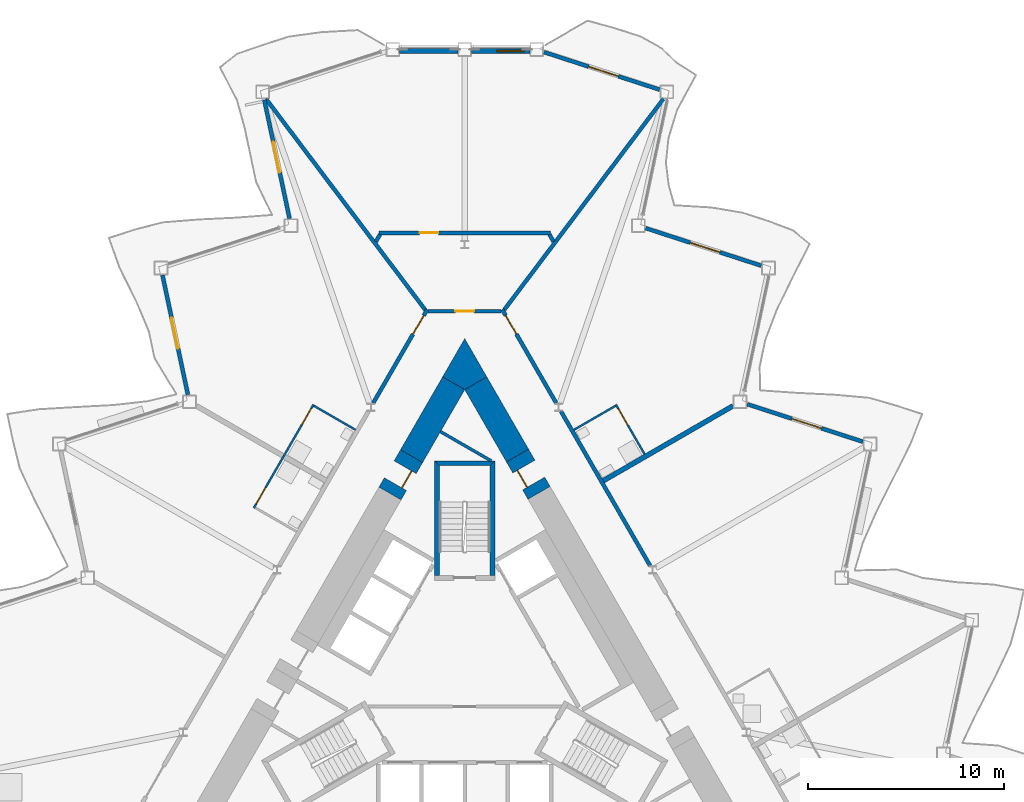
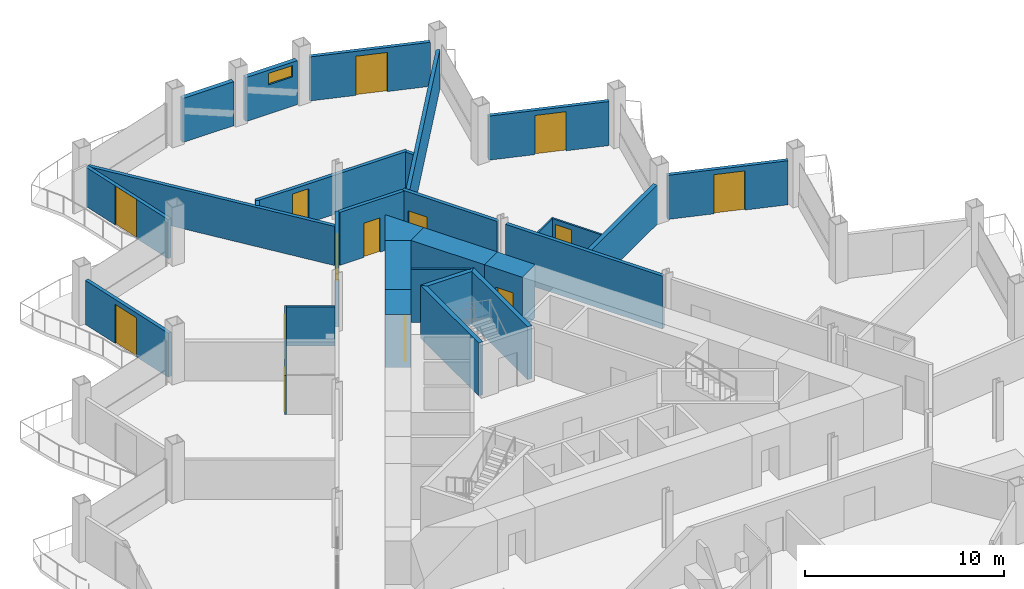
# One storey, part 14 of 24: 30 walls, 14 doors, 1 window, 15 openings.
"""IFC4 building model written with IfcOpenShell, lengths in metres."""

import ifcopenshell
import ifcopenshell.guid

model = None  # the IFC model being written
_history = None  # IfcOwnerHistory: only IFC2X3 demands one
_inside = {}  # id of a spatial element -> (the spatial element, [elements in it])
_under = {}  # id of a project, library or spatial element -> (it, [spatial elements below it])
_declared = {}  # id of a project -> (the project, [libraries it declares])
_typed = {}  # id of a type object -> (the type object, [elements of that type])
_made_of = {}  # id of a material, layer set ... -> (it, [elements and type objects made of it])


def new_model(schema):
    """Start an empty IFC model of exactly this schema.

    Asked for "IFC4X3", IfcOpenShell would pick the latest addendum, in which some entities
    have other attributes; the version numbers below select the first issue.
    IFC2X3 requires an IfcOwnerHistory on every rooted entity: one is made here for all.
    """
    global model, _history
    if schema == "IFC4X3":
        model = ifcopenshell.file(schema_version=(4, 3, 0, 0))
    else:
        model = ifcopenshell.file(schema=schema)
    _inside.clear()
    _under.clear()
    _declared.clear()
    _typed.clear()
    _made_of.clear()
    _history = None
    if model.schema == "IFC2X3":
        org = make("IfcOrganization", Name="unknown")
        user = make(
            "IfcPersonAndOrganization",
            ThePerson=make("IfcPerson", FamilyName="unknown"),
            TheOrganization=org,
        )
        app = make(
            "IfcApplication",
            ApplicationDeveloper=org,
            Version="unknown",
            ApplicationFullName="unknown",
            ApplicationIdentifier="unknown",
        )
        _history = make(
            "IfcOwnerHistory",
            OwningUser=user,
            OwningApplication=app,
            ChangeAction="ADDED",
            CreationDate=0,
        )
    return model


def make(cls, **values):
    """One entity of the class cls with the attributes given. An attribute that is None is left unset."""
    return model.create_entity(
        cls, **{name: value for name, value in values.items() if value is not None}
    )


def rooted(cls, **values):
    """An entity with a GlobalId (a new one), such as an element, a storey or a relation."""
    return make(cls, GlobalId=ifcopenshell.guid.new(), OwnerHistory=_history, **values)


def si_unit(unit_type, name, prefix=None):
    """IfcSIUnit, for example si_unit("LENGTHUNIT", "METRE", prefix="MILLI")."""
    return make("IfcSIUnit", UnitType=unit_type, Prefix=prefix, Name=name)


def assignment(units):
    """IfcUnitAssignment: the units of a project."""
    return None if units is None else make("IfcUnitAssignment", Units=units)


def point(xyz):
    """IfcCartesianPoint."""
    return None if xyz is None else make("IfcCartesianPoint", Coordinates=xyz)


def direction(xyz):
    """IfcDirection."""
    return None if xyz is None else make("IfcDirection", DirectionRatios=xyz)


def frame(location, z_axis=None, x_axis=None):
    """IfcAxis2Placement3D, a coordinate frame: its origin and axes. An axis left out is left unset."""
    return make(
        "IfcAxis2Placement3D",
        Location=point(location),
        Axis=direction(z_axis),
        RefDirection=direction(x_axis),
    )


def frame_2d(location, x_axis=None):
    """IfcAxis2Placement2D, a coordinate frame in the plane: its origin and x axis."""
    return make(
        "IfcAxis2Placement2D", Location=point(location), RefDirection=direction(x_axis)
    )


def origin():
    """The frame at (0, 0, 0) with its axes left unset."""
    return frame((0.0, 0.0, 0.0))


def place(relative_to, where):
    """IfcLocalPlacement: puts the frame where relative to a parent placement (None: the world)."""
    return make(
        "IfcLocalPlacement", PlacementRelTo=relative_to, RelativePlacement=where
    )


def context(
    kind, dimensions, precision=None, world=None, true_north=None, identifier=None
):
    """IfcGeometricRepresentationContext, for example the 3D "Model" context."""
    return make(
        "IfcGeometricRepresentationContext",
        ContextIdentifier=identifier,
        ContextType=kind,
        CoordinateSpaceDimension=dimensions,
        Precision=precision,
        WorldCoordinateSystem=world,
        TrueNorth=true_north,
    )


def subcontext(parent, identifier, kind, view, scale=None):
    """IfcGeometricRepresentationSubContext, for example "Body" below "Model"."""
    return make(
        "IfcGeometricRepresentationSubContext",
        ContextIdentifier=identifier,
        ContextType=kind,
        ParentContext=parent,
        TargetScale=scale,
        TargetView=view,
    )


def project(units=None, contexts=None):
    """IfcProject with its units and contexts."""
    return rooted(
        "IfcProject",
        Name="project",
        RepresentationContexts=contexts,
        UnitsInContext=assignment(units),
    )


def spatial(cls, under=None, at=None, **own):
    """A site, building, storey or space (cls), placed at a placement, below another one or the project."""
    s = rooted(cls, ObjectPlacement=at, **own)
    if under is not None:
        _under.setdefault(under.id(), (under, []))[1].append(s)
    return s


def polyline(points):
    """IfcPolyline through the points."""
    return make("IfcPolyline", Points=[point(p) for p in points])


def profile(cls, at=None, kind="AREA", **sizes):
    """A parametric profile (cls). Its sizes go by their IFC names, for example OverallWidth=200.0."""
    return make(cls, ProfileType=kind, Position=at, **sizes)


def rectangle(**sizes):
    """IfcRectangleProfileDef."""
    return profile("IfcRectangleProfileDef", **sizes)


def outline(outer, holes=None, kind="AREA"):
    """IfcArbitraryClosedProfileDef: a profile drawn as a closed curve; with holes, ...WithVoids."""
    if holes is None:
        return make("IfcArbitraryClosedProfileDef", ProfileType=kind, OuterCurve=outer)
    return make(
        "IfcArbitraryProfileDefWithVoids",
        ProfileType=kind,
        OuterCurve=outer,
        InnerCurves=holes,
    )


def extrude(swept, where, along, depth):
    """IfcExtrudedAreaSolid: the profile swept, set in the frame where, extruded along a direction by depth."""
    return make(
        "IfcExtrudedAreaSolid",
        SweptArea=swept,
        Position=where,
        ExtrudedDirection=direction(along),
        Depth=depth,
    )


def shape(context_of_items, identifier, shape_type, items):
    """IfcShapeRepresentation: the items that make up one representation, for example the "Body"."""
    return make(
        "IfcShapeRepresentation",
        ContextOfItems=context_of_items,
        RepresentationIdentifier=identifier,
        RepresentationType=shape_type,
        Items=items,
    )


def material(Name=None, Category=None):
    """IfcMaterial."""
    return make("IfcMaterial", Name=Name, Category=Category)


def layer(
    of_material, thickness, ventilated=None, Name=None, Category=None, Priority=None
):
    """IfcMaterialLayer: one layer of a wall or slab, of a material (None: an air gap)."""
    return make(
        "IfcMaterialLayer",
        Material=of_material,
        LayerThickness=thickness,
        IsVentilated=ventilated,
        Name=Name,
        Category=Category,
        Priority=Priority,
    )


def layer_set(layers, Name=None):
    """IfcMaterialLayerSet."""
    return make("IfcMaterialLayerSet", MaterialLayers=layers, LayerSetName=Name)


def made_of(thing, what):
    """Note that an element or type object is made of a material, layer set ...; save() writes the relation."""
    if what is not None:
        _made_of.setdefault(what.id(), (what, []))[1].append(thing)
    return thing


def type_object(cls, material=None, **own):
    """A type object (cls), such as IfcWallType, which elements share."""
    return made_of(rooted(cls, **own), material)


def element(
    cls,
    number,
    at=None,
    inside=None,
    cuts=None,
    type_object=None,
    material=None,
    context=None,
    identifier="Body",
    shape_type=None,
    held_by="IfcProductDefinitionShape",
    body=None,
    shapes=None,
    **own,
):
    """One element of the class cls, such as IfcWall. Its Tag is "e" and its number.

    at: its placement. inside: the storey or other place that contains it. cuts: it is an
    opening in that element (IfcRelVoidsElement). A single representation is given by context,
    identifier, shape_type and body (its items); several are given by shapes. held_by: the class
    of the entity that holds the representations. save() writes the other relations.
    """
    e = rooted(cls, Tag="e%d" % number, ObjectPlacement=at, **own)
    if body is not None:
        shapes = [shape(context, identifier, shape_type, body)]
    if shapes is not None:
        e.Representation = make(held_by, Representations=shapes)
    if inside is not None:
        _inside.setdefault(inside.id(), (inside, []))[1].append(e)
    if cuts is not None:
        rooted(
            "IfcRelVoidsElement", RelatingBuildingElement=cuts, RelatedOpeningElement=e
        )
    if type_object is not None:
        _typed.setdefault(type_object.id(), (type_object, []))[1].append(e)
    return made_of(e, material)


def fill(opening, filler):
    """IfcRelFillsElement: the door or window that sits in an opening."""
    return rooted(
        "IfcRelFillsElement",
        RelatingOpeningElement=opening,
        RelatedBuildingElement=filler,
    )


def aggregate(whole, parts):
    """IfcRelAggregates: a whole, such as a stair, and the parts it consists of."""
    return rooted("IfcRelAggregates", RelatingObject=whole, RelatedObjects=parts)


def save(model, path):
    """Write the relations noted so far, then the file.

    IfcRelAggregates (storeys below a building ...), IfcRelContainedInSpatialStructure (elements
    in a storey), IfcRelDefinesByType, IfcRelAssociatesMaterial and IfcRelDeclares: one each for
    every whole, place, type object, material and project.
    """
    for whole, parts in _under.values():
        aggregate(whole, parts)
    for where, things in _inside.values():
        rooted(
            "IfcRelContainedInSpatialStructure",
            RelatedElements=things,
            RelatingStructure=where,
        )
    for kind, things in _typed.values():
        rooted("IfcRelDefinesByType", RelatedObjects=things, RelatingType=kind)
    for what, things in _made_of.values():
        rooted("IfcRelAssociatesMaterial", RelatedObjects=things, RelatingMaterial=what)
    for by, libraries in _declared.values():
        rooted("IfcRelDeclares", RelatingContext=by, RelatedDefinitions=libraries)
    model.write(path)


model = new_model("IFC4")

# Units and contexts
model_context = context("Model", 3, precision=1e-05, world=origin(), true_north=direction((0.0, 1.0)))
body_context = subcontext(model_context, "Body", "Model", "MODEL_VIEW")
ifc_project = project(units=[si_unit("LENGTHUNIT", "METRE"), si_unit("AREAUNIT", "SQUARE_METRE"), si_unit("VOLUMEUNIT", "CUBIC_METRE"), si_unit("PLANEANGLEUNIT", "RADIAN"), si_unit("MASSUNIT", "GRAM", prefix="KILO")], contexts=[model_context])

# Site, building, storey
site_placement = place(None, origin())
site = spatial("IfcSite", under=ifc_project, at=site_placement, CompositionType="ELEMENT")
building_placement = place(site_placement, origin())
building = spatial("IfcBuilding", under=site, at=building_placement, Name="Cormorant Prow Tower", CompositionType="ELEMENT")
storey_placement = place(building_placement, frame((0.0, 0.0, 270.60009765625)))
storey = spatial("IfcBuildingStorey", under=building, at=storey_placement, Name="L61", CompositionType="ELEMENT", Elevation=270.60009765625)

# Walls
ifc_material_1 = material(Name="Gypsum board partition")
ifc_layer_1 = layer(ifc_material_1, 0.14990234375)
ifc_layer_set_1 = layer_set([ifc_layer_1], Name="Gypsum board partition")
wall_type_1 = type_object("IfcWallType", Name="Core partition 150", PredefinedType="PARTITIONING", material=ifc_layer_set_1)
wall_1_placement = place(storey_placement, frame((-1.237060546875, 12.577880859375, 0.0), z_axis=(0.0, 0.0, 1.0), x_axis=(0.866045649925, -0.499964931016, 0.0)))
element("IfcWall", 1, at=wall_1_placement, inside=storey, type_object=wall_type_1, Name="Service room partition", PredefinedType="PARTITIONING", context=body_context, shape_type="SweptSolid", body=[
    extrude(rectangle(XDim=2.992431640625, YDim=0.14990234375, at=frame_2d((1.49609375, 0.0))), origin(), (0.0, 0.0, 1.0), 3.25),
])
ifc_material_2 = material(Name="Concrete 8000 psi", Category="concrete")
ifc_layer_2 = layer(ifc_material_2, 1.300048828125)
ifc_layer_set_2 = layer_set([ifc_layer_2], Name="Concrete 8000 psi")
wall_type_2 = type_object("IfcWallType", Name="Core shear wall 1300", PredefinedType="SHEAR", material=ifc_layer_set_2)
wall_2_placement = place(storey_placement, frame((2.693115234375, 11.356201171875, 0.0), z_axis=(0.0, 0.0, 1.0), x_axis=(-0.50002837164, 0.866009022791, 0.0)))
element("IfcWall", 2, at=wall_2_placement, inside=storey, type_object=wall_type_2, Name="Core wall", PredefinedType="SHEAR", context=body_context, shape_type="SweptSolid", body=[
    extrude(rectangle(XDim=4.260009765625, YDim=1.300048828125, at=frame_2d((2.1298828125, 0.0))), origin(), (0.0, 0.0, 1.0), 3.25),
])
wall_3_placement = place(storey_placement, frame((-0.56298828125, 15.04541015625, 0.0), z_axis=(0.0, 0.0, 1.0), x_axis=(-0.499994567278, -0.866028540345, 0.0)))
element("IfcWall", 3, at=wall_3_placement, inside=storey, type_object=wall_type_2, Name="Core wall", PredefinedType="SHEAR", context=body_context, shape_type="SweptSolid", body=[
    extrude(rectangle(XDim=4.29736328125, YDim=1.300048828125, at=frame_2d((2.148681640625, 0.0))), origin(), (0.0, 0.0, 1.0), 3.25),
])
wall_4_placement = place(storey_placement, origin())
element("IfcWall", 4, at=wall_4_placement, inside=storey, type_object=wall_type_2, Name="Core wall corner", PredefinedType="SHEAR", context=body_context, shape_type="SweptSolid", body=[
    extrude(outline(polyline([(-1.125732421875, 15.37060546875), (0.0, 17.320556640625), (1.125732421875, 15.37060546875), (0.0, 14.720458984375), (-1.125732421875, 15.37060546875)])), origin(), (0.0, 0.0, 1.0), 3.25),
])

# Wall, opening, door
wall_5_placement = place(storey_placement, frame((-2.7119140625, 11.32373046875, 0.0), z_axis=(0.0, 0.0, 1.0), x_axis=(-0.499946605688, -0.86605622881, 0.0)))
wall_5 = element("IfcWall", 5, at=wall_5_placement, inside=storey, type_object=wall_type_2, Name="Core wall door panel", PredefinedType="SHEAR", context=body_context, shape_type="SweptSolid", body=[
    extrude(rectangle(XDim=2.199951171875, YDim=1.300048828125, at=frame_2d((1.10009765625, 0.0))), origin(), (0.0, 0.0, 1.0), 3.25),
])
opening_1_placement = place(wall_5_placement, frame((0.64990234375, 0.0, 0.0)))
opening_1 = element("IfcOpeningElement", 6, at=opening_1_placement, cuts=wall_5, Name="Opening L61-C17", PredefinedType="OPENING", context=body_context, shape_type="SweptSolid", body=[
    extrude(rectangle(XDim=1.0, YDim=2.10009765625, at=frame_2d((0.5, 1.050048828125))), frame((0.0, 0.659912109375, 0.0), z_axis=(0.0, -1.0, 0.0), x_axis=(1.0, 0.0, 0.0)), (0.0, 0.0, 1.0), 1.320068359375),
])
ifc_material_3 = material(Name="Painted steel", Category="steel")
door_type_1 = type_object("IfcDoorType", Name="Service door 1000x2100", OperationType="NOTDEFINED", PredefinedType="DOOR", material=ifc_material_3)
door_1_placement = place(opening_1_placement, origin())
door_1 = element("IfcDoor", 7, at=door_1_placement, inside=storey, type_object=door_type_1, Name="Core door, Telecom room", OperationType="SINGLE_SWING_LEFT", OverallHeight=2.10009765625, OverallWidth=1.0, PredefinedType="DOOR", context=body_context, shape_type="SweptSolid", body=[
    extrude(rectangle(XDim=1.0, YDim=2.10009765625, at=frame_2d((0.5, 1.050048828125))), frame((0.0, 0.40478515625, 0.0), z_axis=(0.0, -1.0, 0.0), x_axis=(1.0, 0.0, 0.0)), (0.0, 0.0, 1.0), 0.050048828125),
])
fill(opening_1, door_1)

wall_6_placement = place(storey_placement, frame((3.79296875, 9.450927734375, 0.0), z_axis=(0.0, 0.0, 1.0), x_axis=(-0.499946605688, 0.86605622881, 0.0)))
wall_6 = element("IfcWall", 8, at=wall_6_placement, inside=storey, type_object=wall_type_2, Name="Core wall door panel", PredefinedType="SHEAR", context=body_context, shape_type="SweptSolid", body=[
    extrude(rectangle(XDim=2.199951171875, YDim=1.300048828125, at=frame_2d((1.10009765625, 0.0))), origin(), (0.0, 0.0, 1.0), 3.25),
])
opening_2_placement = place(wall_6_placement, frame((0.550048828125, 0.0, 0.0)))
opening_2 = element("IfcOpeningElement", 9, at=opening_2_placement, cuts=wall_6, Name="Opening L61-C18", PredefinedType="OPENING", context=body_context, shape_type="SweptSolid", body=[
    extrude(rectangle(XDim=1.0, YDim=2.10009765625, at=frame_2d((0.5, 1.050048828125))), frame((0.0, 0.659912109375, 0.0), z_axis=(0.0, -1.0, 0.0), x_axis=(1.0, 0.0, 0.0)), (0.0, 0.0, 1.0), 1.320068359375),
])
door_2_placement = place(opening_2_placement, origin())
door_2 = element("IfcDoor", 10, at=door_2_placement, inside=storey, type_object=door_type_1, Name="Core door, Pantry store", OperationType="SINGLE_SWING_RIGHT", OverallHeight=2.10009765625, OverallWidth=1.0, PredefinedType="DOOR", context=body_context, shape_type="SweptSolid", body=[
    extrude(rectangle(XDim=1.0, YDim=2.10009765625, at=frame_2d((0.5, 1.050048828125))), frame((0.0, 0.40478515625, 0.0), z_axis=(0.0, -1.0, 0.0), x_axis=(1.0, 0.0, 0.0)), (0.0, 0.0, 1.0), 0.050048828125),
])
fill(opening_2, door_2)

# Wall
ifc_material_4 = material(Name="Gypsum board corridor wall")
ifc_layer_3 = layer(ifc_material_4, 0.199951171875)
ifc_layer_set_3 = layer_set([ifc_layer_3], Name="Gypsum board corridor wall")
wall_type_3 = type_object("IfcWallType", Name="Corridor wall 200", PredefinedType="PARTITIONING", material=ifc_layer_set_3)
wall_7_placement = place(storey_placement, frame((4.91015625, 13.61572265625, 0.0), z_axis=(0.0, 0.0, 1.0), x_axis=(0.50000207303, -0.866024206917, 0.0)))
element("IfcWall", 11, at=wall_7_placement, inside=storey, type_object=wall_type_3, Name="Corridor wall", PredefinedType="PARTITIONING", context=body_context, shape_type="SweptSolid", body=[
    extrude(rectangle(XDim=9.0947265625, YDim=0.199951171875, at=frame_2d((4.54736328125, 0.0))), origin(), (0.0, 0.0, 1.0), 3.25),
])

# Wall, opening, door
wall_8_placement = place(storey_placement, frame((-4.668212890625, 14.034912109375, 0.0), z_axis=(0.0, 0.0, 1.0), x_axis=(0.499984524817, 0.866034338201, 0.0)))
wall_8 = element("IfcWall", 12, at=wall_8_placement, inside=storey, type_object=wall_type_3, Name="Corridor wall", PredefinedType="PARTITIONING", context=body_context, shape_type="SweptSolid", body=[
    extrude(rectangle(XDim=5.510498046875, YDim=0.199951171875, at=frame_2d((2.75537109375, 0.0))), origin(), (0.0, 0.0, 1.0), 3.25),
])
opening_3_placement = place(wall_8_placement, frame((4.060302734375, 0.0, 0.0)))
opening_3 = element("IfcOpeningElement", 13, at=opening_3_placement, cuts=wall_8, Name="Opening L61-F15", PredefinedType="OPENING", context=body_context, shape_type="SweptSolid", body=[
    extrude(rectangle(XDim=1.10009765625, YDim=2.10009765625, at=frame_2d((0.550048828125, 1.050048828125))), frame((0.0, 0.10986328125, 0.0), z_axis=(0.0, -1.0, 0.0), x_axis=(1.0, 0.0, 0.0)), (0.0, 0.0, 1.0), 0.219970703125),
])
ifc_material_5 = material(Name="Timber door leaf", Category="wood")
door_type_2 = type_object("IfcDoorType", Name="Suite entrance door 1100x2100", OperationType="NOTDEFINED", PredefinedType="DOOR", material=ifc_material_5)
door_3_placement = place(opening_3_placement, origin())
door_3 = element("IfcDoor", 14, at=door_3_placement, inside=storey, type_object=door_type_2, Name="Executive suite bedroom door", OperationType="SINGLE_SWING_RIGHT", OverallHeight=2.10009765625, OverallWidth=1.10009765625, PredefinedType="DOOR", context=body_context, shape_type="SweptSolid", body=[
    extrude(rectangle(XDim=1.10009765625, YDim=2.10009765625, at=frame_2d((0.550048828125, 1.050048828125))), frame((0.0, 0.02490234375, 0.0), z_axis=(0.0, -1.0, 0.0), x_axis=(1.0, 0.0, 0.0)), (0.0, 0.0, 1.0), 0.050048828125),
])
fill(opening_3, door_3)

wall_9_placement = place(storey_placement, frame((1.9130859375, 18.80712890625, 0.0), z_axis=(0.0, 0.0, 1.0), x_axis=(0.499984524817, -0.866034338201, 0.0)))
wall_9 = element("IfcWall", 15, at=wall_9_placement, inside=storey, type_object=wall_type_3, Name="Corridor wall", PredefinedType="PARTITIONING", context=body_context, shape_type="SweptSolid", body=[
    extrude(rectangle(XDim=5.510498046875, YDim=0.199951171875, at=frame_2d((2.75537109375, 0.0))), origin(), (0.0, 0.0, 1.0), 3.25),
])
opening_4_placement = place(wall_9_placement, frame((0.350341796875, 0.0, 0.0)))
opening_4 = element("IfcOpeningElement", 16, at=opening_4_placement, cuts=wall_9, Name="Opening L61-F11", PredefinedType="OPENING", context=body_context, shape_type="SweptSolid", body=[
    extrude(rectangle(XDim=1.10009765625, YDim=2.10009765625, at=frame_2d((0.550048828125, 1.050048828125))), frame((0.0, 0.10986328125, 0.0), z_axis=(0.0, -1.0, 0.0), x_axis=(1.0, 0.0, 0.0)), (0.0, 0.0, 1.0), 0.219970703125),
])
door_4_placement = place(opening_4_placement, origin())
door_4 = element("IfcDoor", 17, at=door_4_placement, inside=storey, type_object=door_type_2, Name="Executive suite bedroom door", OperationType="SINGLE_SWING_LEFT", OverallHeight=2.10009765625, OverallWidth=1.10009765625, PredefinedType="DOOR", context=body_context, shape_type="SweptSolid", body=[
    extrude(rectangle(XDim=1.10009765625, YDim=2.10009765625, at=frame_2d((0.550048828125, 1.050048828125))), frame((0.0, 0.02490234375, 0.0), z_axis=(0.0, -1.0, 0.0), x_axis=(1.0, 0.0, 0.0)), (0.0, 0.0, 1.0), 0.050048828125),
])
fill(opening_4, door_4)

wall_10_placement = place(storey_placement, frame((-1.863037109375, 18.720458984375, 0.0), z_axis=(0.0, 0.0, 1.0), x_axis=(1.0, 0.0, 0.0)))
wall_10 = element("IfcWall", 18, at=wall_10_placement, inside=storey, type_object=wall_type_3, Name="Corridor wall", PredefinedType="PARTITIONING", context=body_context, shape_type="SweptSolid", body=[
    extrude(rectangle(XDim=3.72607421875, YDim=0.199951171875, at=frame_2d((1.863037109375, 0.0))), origin(), (0.0, 0.0, 1.0), 3.25),
])
opening_5_placement = place(wall_10_placement, frame((1.387939453125, 0.0, 0.0)))
opening_5 = element("IfcOpeningElement", 19, at=opening_5_placement, cuts=wall_10, Name="Opening L61-F13", PredefinedType="OPENING", context=body_context, shape_type="SweptSolid", body=[
    extrude(rectangle(XDim=0.949951171875, YDim=2.10009765625, at=frame_2d((0.47509765625, 1.050048828125))), frame((0.0, 0.10986328125, 0.0), z_axis=(0.0, -1.0, 0.0), x_axis=(1.0, 0.0, 0.0)), (0.0, 0.0, 1.0), 0.219970703125),
])
ifc_material_6 = material(Name="Timber door leaf", Category="wood")
door_type_3 = type_object("IfcDoorType", Name="Store door 950x2100", OperationType="NOTDEFINED", PredefinedType="DOOR", material=ifc_material_6)
door_5_placement = place(opening_5_placement, origin())
door_5 = element("IfcDoor", 20, at=door_5_placement, inside=storey, type_object=door_type_3, Name="Housekeeping room door", OperationType="SINGLE_SWING_LEFT", OverallHeight=2.10009765625, OverallWidth=0.949951171875, PredefinedType="DOOR", context=body_context, shape_type="SweptSolid", body=[
    extrude(rectangle(XDim=0.949951171875, YDim=2.10009765625, at=frame_2d((0.47509765625, 1.050048828125))), frame((0.0, 0.02490234375, 0.0), z_axis=(0.0, -1.0, 0.0), x_axis=(1.0, 0.0, 0.0)), (0.0, 0.0, 1.0), 0.050048828125),
])
fill(opening_5, door_5)

# Walls
ifc_material_7 = material(Name="Gypsum board demising wall")
ifc_layer_4 = layer(ifc_material_7, 0.199951171875)
ifc_layer_set_4 = layer_set([ifc_layer_4], Name="Gypsum board demising wall")
wall_type_4 = type_object("IfcWallType", Name="Demising wall 200", PredefinedType="PARTITIONING", material=ifc_layer_set_4)
for number, where, z_axis, x_axis, name in (
    (21, (2.023193359375, 18.80029296875, 0.0), (0.0, 0.0, 1.0), (0.602360077041, 0.798224490721, 0.0), "Demising wall"),
    (22, (-10.1396484375, 29.555908203125, 0.0), (0.0, 0.0, 1.0), (0.602360077041, -0.798224490721, 0.0), "Demising wall"),
):
    element("IfcWall", number, at=place(storey_placement, frame(where, z_axis=z_axis, x_axis=x_axis)), inside=storey, type_object=wall_type_4, Name=name, PredefinedType="PARTITIONING", context=body_context, shape_type="SweptSolid", body=[
        extrude(rectangle(XDim=13.474365234375, YDim=0.199951171875, at=frame_2d((6.7373046875, 0.0))), origin(), (0.0, 0.0, 1.0), 2.404052734375),
    ])

# Wall, opening, door
wall_11_placement = place(storey_placement, frame((-4.372314453125, 22.720458984375, 0.0), z_axis=(0.0, 0.0, 1.0), x_axis=(1.0, 0.0, 0.0)))
wall_11 = element("IfcWall", 23, at=wall_11_placement, inside=storey, type_object=wall_type_4, Name="Demising wall", PredefinedType="PARTITIONING", context=body_context, shape_type="SweptSolid", body=[
    extrude(rectangle(XDim=8.74462890625, YDim=0.199951171875, at=frame_2d((4.372314453125, 0.0))), origin(), (0.0, 0.0, 1.0), 2.404052734375),
])
opening_6_placement = place(wall_11_placement, frame((2.07373046875, 0.0, 0.0)))
opening_6 = element("IfcOpeningElement", 24, at=opening_6_placement, cuts=wall_11, Name="Opening L61-F14", PredefinedType="OPENING", context=body_context, shape_type="SweptSolid", body=[
    extrude(rectangle(XDim=0.949951171875, YDim=2.10009765625, at=frame_2d((0.47509765625, 1.050048828125))), frame((0.0, 0.10986328125, 0.0), z_axis=(0.0, -1.0, 0.0), x_axis=(1.0, 0.0, 0.0)), (0.0, 0.0, 1.0), 0.219970703125),
])
door_6_placement = place(opening_6_placement, origin())
door_6 = element("IfcDoor", 25, at=door_6_placement, inside=storey, type_object=door_type_3, Name="Linen store door", OperationType="SINGLE_SWING_RIGHT", OverallHeight=2.10009765625, OverallWidth=0.949951171875, PredefinedType="DOOR", context=body_context, shape_type="SweptSolid", body=[
    extrude(rectangle(XDim=0.949951171875, YDim=2.10009765625, at=frame_2d((0.47509765625, 1.050048828125))), frame((0.0, 0.02490234375, 0.0), z_axis=(0.0, -1.0, 0.0), x_axis=(1.0, 0.0, 0.0)), (0.0, 0.0, 1.0), 0.050048828125),
])
fill(opening_6, door_6)

# Walls
for number, where, z_axis, x_axis, name in (
    (26, (-4.52978515625, 22.274658203125, 0.0), (0.0, 0.0, 1.0), (0.499875358948, 0.866097353371, 0.0), "Demising wall"),
    (27, (4.322509765625, 22.6337890625, 0.0), (0.0, 0.0, 1.0), (0.499875358948, -0.866097353371, 0.0), "Demising wall"),
):
    element("IfcWall", number, at=place(storey_placement, frame(where, z_axis=z_axis, x_axis=x_axis)), inside=storey, type_object=wall_type_4, Name=name, PredefinedType="PARTITIONING", context=body_context, shape_type="SweptSolid", body=[
        extrude(rectangle(XDim=0.41455078125, YDim=0.199951171875, at=frame_2d((0.207275390625, 0.0))), origin(), (0.0, 0.0, 1.0), 2.404052734375),
    ])

# Wall, openings, doors
ifc_material_8 = material(Name="Gypsum board partition")
ifc_layer_5 = layer(ifc_material_8, 0.10009765625)
ifc_layer_set_5 = layer_set([ifc_layer_5], Name="Gypsum board partition")
wall_type_5 = type_object("IfcWallType", Name="Internal partition 100", PredefinedType="PARTITIONING", material=ifc_layer_set_5)
wall_12_placement = place(storey_placement, frame((-10.762451171875, 8.67919921875, 0.0), z_axis=(0.0, 0.0, 1.0), x_axis=(0.500008851346, 0.866020293397, 0.0)))
wall_12 = element("IfcWall", 28, at=wall_12_placement, inside=storey, type_object=wall_type_5, Name="Internal partition", PredefinedType="PARTITIONING", context=body_context, shape_type="SweptSolid", body=[
    extrude(rectangle(XDim=6.10009765625, YDim=0.10009765625, at=frame_2d((3.050048828125, 0.0))), origin(), (0.0, 0.0, 1.0), 2.404052734375),
])
opening_7_placement = place(wall_12_placement, frame((4.89990234375, 0.0, 0.0)))
opening_7 = element("IfcOpeningElement", 29, at=opening_7_placement, cuts=wall_12, Name="Opening L61-F16", PredefinedType="OPENING", context=body_context, shape_type="SweptSolid", body=[
    extrude(rectangle(XDim=0.949951171875, YDim=2.10009765625, at=frame_2d((0.47509765625, 1.050048828125))), frame((0.0, 0.06005859375, 0.0), z_axis=(0.0, -1.0, 0.0), x_axis=(1.0, 0.0, 0.0)), (0.0, 0.0, 1.0), 0.1201171875),
])
opening_8_placement = place(wall_12_placement, frame((0.25, 0.0, 0.0)))
opening_8 = element("IfcOpeningElement", 30, at=opening_8_placement, cuts=wall_12, Name="Opening L61-F18", PredefinedType="OPENING", context=body_context, shape_type="SweptSolid", body=[
    extrude(rectangle(XDim=0.949951171875, YDim=2.10009765625, at=frame_2d((0.47509765625, 1.050048828125))), frame((0.0, 0.06005859375, 0.0), z_axis=(0.0, -1.0, 0.0), x_axis=(1.0, 0.0, 0.0)), (0.0, 0.0, 1.0), 0.1201171875),
])
ifc_material_9 = material(Name="Timber door leaf", Category="wood")
door_type_4 = type_object("IfcDoorType", Name="Bathroom door 950x2100", OperationType="NOTDEFINED", PredefinedType="DOOR", material=ifc_material_9)
door_7_placement = place(opening_7_placement, origin())
door_7 = element("IfcDoor", 31, at=door_7_placement, inside=storey, type_object=door_type_4, Name="Executive suite bedroom door", OperationType="SINGLE_SWING_RIGHT", OverallHeight=2.10009765625, OverallWidth=0.949951171875, PredefinedType="DOOR", context=body_context, shape_type="SweptSolid", body=[
    extrude(rectangle(XDim=0.949951171875, YDim=2.10009765625, at=frame_2d((0.47509765625, 1.050048828125))), frame((0.0, 0.02490234375, 0.0), z_axis=(0.0, -1.0, 0.0), x_axis=(1.0, 0.0, 0.0)), (0.0, 0.0, 1.0), 0.050048828125),
])
fill(opening_7, door_7)
door_8_placement = place(opening_8_placement, origin())
door_8 = element("IfcDoor", 32, at=door_8_placement, inside=storey, type_object=door_type_4, Name="Junior suite door", OperationType="SINGLE_SWING_LEFT", OverallHeight=2.10009765625, OverallWidth=0.949951171875, PredefinedType="DOOR", context=body_context, shape_type="SweptSolid", body=[
    extrude(rectangle(XDim=0.949951171875, YDim=2.10009765625, at=frame_2d((0.47509765625, 1.050048828125))), frame((0.0, 0.02490234375, 0.0), z_axis=(0.0, -1.0, 0.0), x_axis=(1.0, 0.0, 0.0)), (0.0, 0.0, 1.0), 0.050048828125),
])
fill(opening_8, door_8)

# Wall, opening, door
wall_13_placement = place(storey_placement, frame((7.71240234375, 13.9619140625, 0.0), z_axis=(0.0, 0.0, 1.0), x_axis=(0.500062034277, -0.865989585315, 0.0)))
wall_13 = element("IfcWall", 33, at=wall_13_placement, inside=storey, type_object=wall_type_5, Name="Internal partition", PredefinedType="PARTITIONING", context=body_context, shape_type="SweptSolid", body=[
    extrude(rectangle(XDim=2.925048828125, YDim=0.10009765625, at=frame_2d((1.46240234375, 0.0))), origin(), (0.0, 0.0, 1.0), 2.404052734375),
])
opening_9_placement = place(wall_13_placement, frame((0.25, 0.0, 0.0)))
opening_9 = element("IfcOpeningElement", 34, at=opening_9_placement, cuts=wall_13, Name="Opening L61-F12", PredefinedType="OPENING", context=body_context, shape_type="SweptSolid", body=[
    extrude(rectangle(XDim=0.949951171875, YDim=2.10009765625, at=frame_2d((0.47509765625, 1.050048828125))), frame((0.0, 0.06005859375, 0.0), z_axis=(0.0, -1.0, 0.0), x_axis=(1.0, 0.0, 0.0)), (0.0, 0.0, 1.0), 0.1201171875),
])
door_9_placement = place(opening_9_placement, origin())
door_9 = element("IfcDoor", 35, at=door_9_placement, inside=storey, type_object=door_type_4, Name="Executive suite bedroom door", OperationType="SINGLE_SWING_LEFT", OverallHeight=2.10009765625, OverallWidth=0.949951171875, PredefinedType="DOOR", context=body_context, shape_type="SweptSolid", body=[
    extrude(rectangle(XDim=0.949951171875, YDim=2.10009765625, at=frame_2d((0.47509765625, 1.050048828125))), frame((0.0, 0.02490234375, 0.0), z_axis=(0.0, -1.0, 0.0), x_axis=(1.0, 0.0, 0.0)), (0.0, 0.0, 1.0), 0.050048828125),
])
fill(opening_9, door_9)

# Walls
for number, where, z_axis, x_axis, name in (
    (36, (5.572509765625, 12.668701171875, 0.0), (0.0, 0.0, 1.0), (0.865989751695, 0.500061746146, 0.0), "Internal partition"),
    (37, (-7.694091796875, 13.893798828125, 0.0), (0.0, 0.0, 1.0), (0.865989751695, -0.500061746146, 0.0), "Internal partition"),
):
    element("IfcWall", number, at=place(storey_placement, frame(where, z_axis=z_axis, x_axis=x_axis)), inside=storey, type_object=wall_type_5, Name=name, PredefinedType="PARTITIONING", context=body_context, shape_type="SweptSolid", body=[
        extrude(rectangle(XDim=2.449951171875, YDim=0.10009765625, at=frame_2d((1.22509765625, 0.0))), origin(), (0.0, 0.0, 1.0), 2.404052734375),
    ])
ifc_material_10 = material(Name="Concrete 8000 psi", Category="concrete")
ifc_layer_6 = layer(ifc_material_10, 0.25)
ifc_layer_set_6 = layer_set([ifc_layer_6], Name="Concrete 8000 psi")
wall_type_6 = type_object("IfcWallType", Name="Stair wall 250", PredefinedType="SHEAR", material=ifc_layer_set_6)
wall_14_placement = place(storey_placement, origin())
element("IfcWall", 38, at=wall_14_placement, inside=storey, type_object=wall_type_6, Name="Stair ST3 enclosure wall (flank)", PredefinedType="SHEAR", context=body_context, shape_type="SweptSolid", body=[
    extrude(outline(polyline([(1.5439453125, 5.23681640625), (1.5439453125, 11.0869140625), (1.2939453125, 10.8369140625), (1.2939453125, 5.23681640625), (1.5439453125, 5.23681640625)])), origin(), (0.0, 0.0, 1.0), 3.25),
])
wall_15_placement = place(storey_placement, origin())
element("IfcWall", 39, at=wall_15_placement, inside=storey, type_object=wall_type_6, Name="Stair ST3 enclosure wall (end)", PredefinedType="SHEAR", context=body_context, shape_type="SweptSolid", body=[
    extrude(outline(polyline([(1.5439453125, 11.0869140625), (-1.5439453125, 11.0869140625), (-1.2939453125, 10.8369140625), (1.2939453125, 10.8369140625), (1.5439453125, 11.0869140625)])), origin(), (0.0, 0.0, 1.0), 3.25),
])
wall_16_placement = place(storey_placement, origin())
element("IfcWall", 40, at=wall_16_placement, inside=storey, type_object=wall_type_6, Name="Stair ST3 enclosure wall (flank)", PredefinedType="SHEAR", context=body_context, shape_type="SweptSolid", body=[
    extrude(outline(polyline([(-1.2939453125, 10.8369140625), (-1.5439453125, 11.0869140625), (-1.5439453125, 5.23681640625), (-1.2939453125, 5.23681640625), (-1.2939453125, 10.8369140625)])), origin(), (0.0, 0.0, 1.0), 3.25),
])
ifc_material_11 = material(Name="Acoustic gypsum party wall")
ifc_layer_7 = layer(ifc_material_11, 0.25)
ifc_layer_set_7 = layer_set([ifc_layer_7], Name="Acoustic gypsum party wall")
wall_type_7 = type_object("IfcWallType", Name="Suite party wall 250", PredefinedType="PARTITIONING", material=ifc_layer_set_7)
wall_17_placement = place(storey_placement, frame((7.072509765625, 10.07080078125, 0.0), z_axis=(0.0, 0.0, 1.0), x_axis=(0.866041332704, 0.499972409287, 0.0)))
element("IfcWall", 41, at=wall_17_placement, inside=storey, type_object=wall_type_7, Name="Suite party wall", PredefinedType="PARTITIONING", context=body_context, shape_type="SweptSolid", body=[
    extrude(rectangle(XDim=7.6376953125, YDim=0.25, at=frame_2d((3.81884765625, 0.0))), origin(), (0.0, 0.0, 1.0), 2.404052734375),
])

# Wall, opening, window
ifc_material_12 = material(Name="Terracotta", Category="masonry")
ifc_layer_8 = layer(ifc_material_12, 0.25)
ifc_layer_set_8 = layer_set([ifc_layer_8], Name="Terracotta")
wall_type_8 = type_object("IfcWallType", Name="Terracotta bay wall 250", PredefinedType="SOLIDWALL", material=ifc_layer_set_8)
wall_18_placement = place(storey_placement, frame((3.3203125, 32.0009765625, 0.0), z_axis=(0.0, 0.0, 1.0), x_axis=(-1.0, 0.0, 0.0)))
wall_18 = element("IfcWall", 42, at=wall_18_placement, inside=storey, type_object=wall_type_8, Name="Terracotta bay wall N00", PredefinedType="SOLIDWALL", context=body_context, shape_type="SweptSolid", body=[
    extrude(rectangle(XDim=2.97021484375, YDim=0.25, at=frame_2d((1.485107421875, 0.0))), origin(), (0.0, 0.0, 1.0), 2.70068359375),
])
opening_10_placement = place(wall_18_placement, frame((0.27978515625, 0.0, 1.800048828125)))
opening_10 = element("IfcOpeningElement", 43, at=opening_10_placement, cuts=wall_18, Name="Opening WN4", PredefinedType="OPENING", context=body_context, shape_type="SweptSolid", body=[
    extrude(rectangle(XDim=1.39990234375, YDim=0.699951171875, at=frame_2d((0.699951171875, 0.35009765625))), frame((0.0, 0.135009765625, 0.0), z_axis=(0.0, -1.0, 0.0), x_axis=(1.0, 0.0, 0.0)), (0.0, 0.0, 1.0), 0.27001953125),
])
ifc_material_13 = material(Name="Aluminium 6063-T6", Category="aluminium")
window_type = type_object("IfcWindowType", Name="Corner bay window 1400x700", PartitioningType="SINGLE_PANEL", PredefinedType="WINDOW", material=ifc_material_13)
window_placement = place(opening_10_placement, origin())
window = element("IfcWindow", 44, at=window_placement, inside=storey, type_object=window_type, Name="Corner bay window N00", OverallHeight=0.699951171875, OverallWidth=1.39990234375, PartitioningType="SINGLE_PANEL", PredefinedType="WINDOW", context=body_context, shape_type="SweptSolid", body=[
    extrude(rectangle(XDim=1.39990234375, YDim=0.699951171875, at=frame_2d((0.699951171875, 0.35009765625))), frame((0.0, 0.030029296875, 0.0), z_axis=(0.0, -1.0, 0.0), x_axis=(1.0, 0.0, 0.0)), (0.0, 0.0, 1.0), 0.06005859375),
])
fill(opening_10, window)

# Wall
wall_19_placement = place(storey_placement, frame((-0.35009765625, 32.0009765625, 0.0), z_axis=(0.0, 0.0, 1.0), x_axis=(-1.0, 0.0, 0.0)))
element("IfcWall", 45, at=wall_19_placement, inside=storey, type_object=wall_type_8, Name="Terracotta bay wall N01", PredefinedType="SOLIDWALL", context=body_context, shape_type="SweptSolid", body=[
    extrude(rectangle(XDim=2.97021484375, YDim=0.25, at=frame_2d((1.485107421875, 0.0))), origin(), (0.0, 0.0, 1.0), 2.70068359375),
])

# Wall, opening, door
ifc_material_14 = material(Name="Terracotta", Category="masonry")
ifc_layer_9 = layer(ifc_material_14, 0.199951171875)
ifc_layer_set_9 = layer_set([ifc_layer_9], Name="Terracotta")
wall_type_9 = type_object("IfcWallType", Name="Terracotta jamb wall 200", PredefinedType="SOLIDWALL", material=ifc_layer_set_9)
wall_20_placement = place(storey_placement, frame((20.31201171875, 12.060302734375, 0.0), z_axis=(0.0, 0.0, 1.0), x_axis=(-0.951048841206, 0.309040614873, 0.0)))
wall_20 = element("IfcWall", 46, at=wall_20_placement, inside=storey, type_object=wall_type_9, Name="Terracotta jamb wall ENE05", PredefinedType="SOLIDWALL", context=body_context, shape_type="SweptSolid", body=[
    extrude(rectangle(XDim=6.193603515625, YDim=0.199951171875, at=frame_2d((3.0966796875, 0.0))), origin(), (0.0, 0.0, 1.0), 2.70068359375),
])
opening_11_placement = place(wall_20_placement, frame((2.210205078125, 0.0, 0.0)))
opening_11 = element("IfcOpeningElement", 47, at=opening_11_placement, cuts=wall_20, Name="Opening ED61.08", PredefinedType="OPENING", context=body_context, shape_type="SweptSolid", body=[
    extrude(rectangle(XDim=1.60009765625, YDim=2.39990234375, at=frame_2d((0.800048828125, 1.199951171875))), frame((0.0, 0.10986328125, 0.0), z_axis=(0.0, -1.0, 0.0), x_axis=(1.0, 0.0, 0.0)), (0.0, 0.0, 1.0), 0.219970703125),
])
ifc_material_15 = material(Name="Aluminium 6063-T6", Category="aluminium")
door_type_5 = type_object("IfcDoorType", Name="Balcony door 1600x2400", OperationType="DOUBLE_DOOR_SINGLE_SWING", PredefinedType="DOOR", material=ifc_material_15)
door_10_placement = place(opening_11_placement, origin())
door_10 = element("IfcDoor", 48, at=door_10_placement, inside=storey, type_object=door_type_5, Name="Balcony door ENE05 ED61.08", OperationType="DOUBLE_DOOR_SINGLE_SWING", OverallHeight=2.39990234375, OverallWidth=1.60009765625, PredefinedType="DOOR", context=body_context, shape_type="SweptSolid", body=[
    extrude(rectangle(XDim=1.60009765625, YDim=2.39990234375, at=frame_2d((0.800048828125, 1.199951171875))), frame((0.0, 0.02490234375, 0.0), z_axis=(0.0, -1.0, 0.0), x_axis=(1.0, 0.0, 0.0)), (0.0, 0.0, 1.0), 0.050048828125),
])
fill(opening_11, door_10)

wall_21_placement = place(storey_placement, frame((15.123779296875, 21.04248046875, 0.0), z_axis=(0.0, 0.0, 1.0), x_axis=(-0.951060426261, 0.309004960478, 0.0)))
wall_21 = element("IfcWall", 49, at=wall_21_placement, inside=storey, type_object=wall_type_9, Name="Terracotta jamb wall ENE07", PredefinedType="SOLIDWALL", context=body_context, shape_type="SweptSolid", body=[
    extrude(rectangle(XDim=6.193603515625, YDim=0.199951171875, at=frame_2d((3.0966796875, 0.0))), origin(), (0.0, 0.0, 1.0), 2.70068359375),
])
opening_12_placement = place(wall_21_placement, frame((2.20703125, 0.0, 0.0)))
opening_12 = element("IfcOpeningElement", 50, at=opening_12_placement, cuts=wall_21, Name="Opening ED61.09", PredefinedType="OPENING", context=body_context, shape_type="SweptSolid", body=[
    extrude(rectangle(XDim=1.60009765625, YDim=2.39990234375, at=frame_2d((0.800048828125, 1.199951171875))), frame((0.0, 0.10986328125, 0.0), z_axis=(0.0, -1.0, 0.0), x_axis=(1.0, 0.0, 0.0)), (0.0, 0.0, 1.0), 0.219970703125),
])
door_11_placement = place(opening_12_placement, origin())
door_11 = element("IfcDoor", 51, at=door_11_placement, inside=storey, type_object=door_type_5, Name="Balcony door ENE07 ED61.09", OperationType="DOUBLE_DOOR_SINGLE_SWING", OverallHeight=2.39990234375, OverallWidth=1.60009765625, PredefinedType="DOOR", context=body_context, shape_type="SweptSolid", body=[
    extrude(rectangle(XDim=1.60009765625, YDim=2.39990234375, at=frame_2d((0.800048828125, 1.199951171875))), frame((0.0, 0.02490234375, 0.0), z_axis=(0.0, -1.0, 0.0), x_axis=(1.0, 0.0, 0.0)), (0.0, 0.0, 1.0), 0.050048828125),
])
fill(opening_12, door_11)

wall_22_placement = place(storey_placement, frame((9.935546875, 30.0244140625, 0.0), z_axis=(0.0, 0.0, 1.0), x_axis=(-0.951060426261, 0.309004960478, 0.0)))
wall_22 = element("IfcWall", 52, at=wall_22_placement, inside=storey, type_object=wall_type_9, Name="Terracotta jamb wall ENE09", PredefinedType="SOLIDWALL", context=body_context, shape_type="SweptSolid", body=[
    extrude(rectangle(XDim=6.193603515625, YDim=0.199951171875, at=frame_2d((3.0966796875, 0.0))), origin(), (0.0, 0.0, 1.0), 2.70068359375),
])
opening_13_placement = place(wall_22_placement, frame((2.203857421875, 0.0, 0.0)))
opening_13 = element("IfcOpeningElement", 53, at=opening_13_placement, cuts=wall_22, Name="Opening ED61.10", PredefinedType="OPENING", context=body_context, shape_type="SweptSolid", body=[
    extrude(rectangle(XDim=1.60009765625, YDim=2.39990234375, at=frame_2d((0.800048828125, 1.199951171875))), frame((0.0, 0.10986328125, 0.0), z_axis=(0.0, -1.0, 0.0), x_axis=(1.0, 0.0, 0.0)), (0.0, 0.0, 1.0), 0.219970703125),
])
door_12_placement = place(opening_13_placement, origin())
door_12 = element("IfcDoor", 54, at=door_12_placement, inside=storey, type_object=door_type_5, Name="Balcony door ENE09 ED61.10", OperationType="DOUBLE_DOOR_SINGLE_SWING", OverallHeight=2.39990234375, OverallWidth=1.60009765625, PredefinedType="DOOR", context=body_context, shape_type="SweptSolid", body=[
    extrude(rectangle(XDim=1.60009765625, YDim=2.39990234375, at=frame_2d((0.800048828125, 1.199951171875))), frame((0.0, 0.02490234375, 0.0), z_axis=(0.0, -1.0, 0.0), x_axis=(1.0, 0.0, 0.0)), (0.0, 0.0, 1.0), 0.050048828125),
])
fill(opening_13, door_12)

wall_23_placement = place(storey_placement, frame((-10.225341796875, 29.50048828125, 0.0), z_axis=(0.0, 0.0, 1.0), x_axis=(0.207897015768, -0.978150719897, 0.0)))
wall_23 = element("IfcWall", 55, at=wall_23_placement, inside=storey, type_object=wall_type_9, Name="Terracotta jamb wall WNW01", PredefinedType="SOLIDWALL", context=body_context, shape_type="SweptSolid", body=[
    extrude(rectangle(XDim=6.181640625, YDim=0.199951171875, at=frame_2d((3.0908203125, 0.0))), origin(), (0.0, 0.0, 1.0), 2.404052734375),
])
opening_14_placement = place(wall_23_placement, frame((2.187744140625, 0.0, 0.0)))
opening_14 = element("IfcOpeningElement", 56, at=opening_14_placement, cuts=wall_23, Name="Opening ED61.11", PredefinedType="OPENING", context=body_context, shape_type="SweptSolid", body=[
    extrude(rectangle(XDim=1.60009765625, YDim=2.39990234375, at=frame_2d((0.800048828125, 1.199951171875))), frame((0.0, 0.10986328125, 0.0), z_axis=(0.0, -1.0, 0.0), x_axis=(1.0, 0.0, 0.0)), (0.0, 0.0, 1.0), 0.219970703125),
])
door_13_placement = place(opening_14_placement, origin())
door_13 = element("IfcDoor", 57, at=door_13_placement, inside=storey, type_object=door_type_5, Name="Balcony door WNW01 ED61.11", OperationType="DOUBLE_DOOR_SINGLE_SWING", OverallHeight=2.39990234375, OverallWidth=1.60009765625, PredefinedType="DOOR", context=body_context, shape_type="SweptSolid", body=[
    extrude(rectangle(XDim=1.60009765625, YDim=2.39990234375, at=frame_2d((0.800048828125, 1.199951171875))), frame((0.0, 0.02490234375, 0.0), z_axis=(0.0, -1.0, 0.0), x_axis=(1.0, 0.0, 0.0)), (0.0, 0.0, 1.0), 0.050048828125),
])
fill(opening_14, door_13)

wall_24_placement = place(storey_placement, frame((-15.419921875, 20.563232421875, 0.0), z_axis=(0.0, 0.0, 1.0), x_axis=(0.207907484076, -0.978148494895, 0.0)))
wall_24 = element("IfcWall", 58, at=wall_24_placement, inside=storey, type_object=wall_type_9, Name="Terracotta jamb wall WNW03", PredefinedType="SOLIDWALL", context=body_context, shape_type="SweptSolid", body=[
    extrude(rectangle(XDim=6.23193359375, YDim=0.199951171875, at=frame_2d((3.115966796875, 0.0))), origin(), (0.0, 0.0, 1.0), 2.70068359375),
])
opening_15_placement = place(wall_24_placement, frame((2.232421875, 0.0, 0.0)))
opening_15 = element("IfcOpeningElement", 59, at=opening_15_placement, cuts=wall_24, Name="Opening ED61.12", PredefinedType="OPENING", context=body_context, shape_type="SweptSolid", body=[
    extrude(rectangle(XDim=1.60009765625, YDim=2.39990234375, at=frame_2d((0.800048828125, 1.199951171875))), frame((0.0, 0.10986328125, 0.0), z_axis=(0.0, -1.0, 0.0), x_axis=(1.0, 0.0, 0.0)), (0.0, 0.0, 1.0), 0.219970703125),
])
door_14_placement = place(opening_15_placement, origin())
door_14 = element("IfcDoor", 60, at=door_14_placement, inside=storey, type_object=door_type_5, Name="Balcony door WNW03 ED61.12", OperationType="DOUBLE_DOOR_SINGLE_SWING", OverallHeight=2.39990234375, OverallWidth=1.60009765625, PredefinedType="DOOR", context=body_context, shape_type="SweptSolid", body=[
    extrude(rectangle(XDim=1.60009765625, YDim=2.39990234375, at=frame_2d((0.800048828125, 1.199951171875))), frame((0.0, 0.02490234375, 0.0), z_axis=(0.0, -1.0, 0.0), x_axis=(1.0, 0.0, 0.0)), (0.0, 0.0, 1.0), 0.050048828125),
])
fill(opening_15, door_14)

save(model, "model.ifc")
